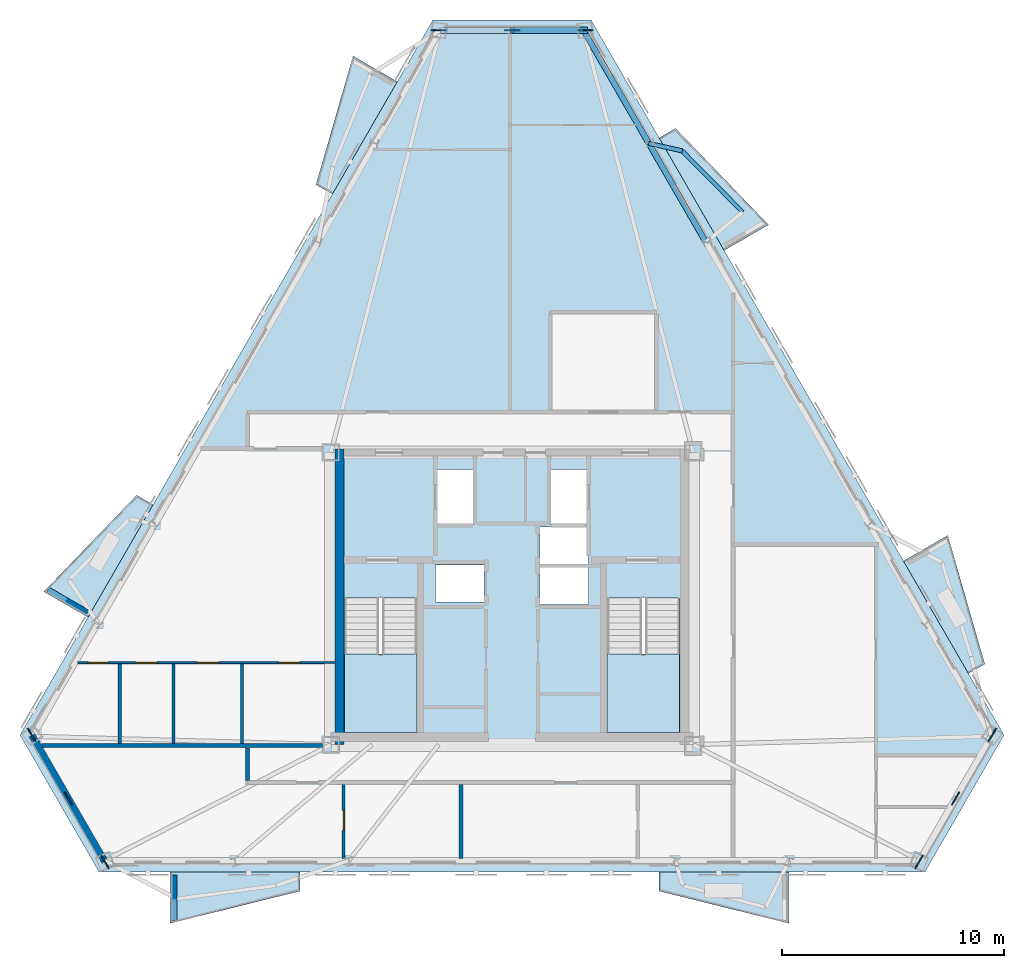
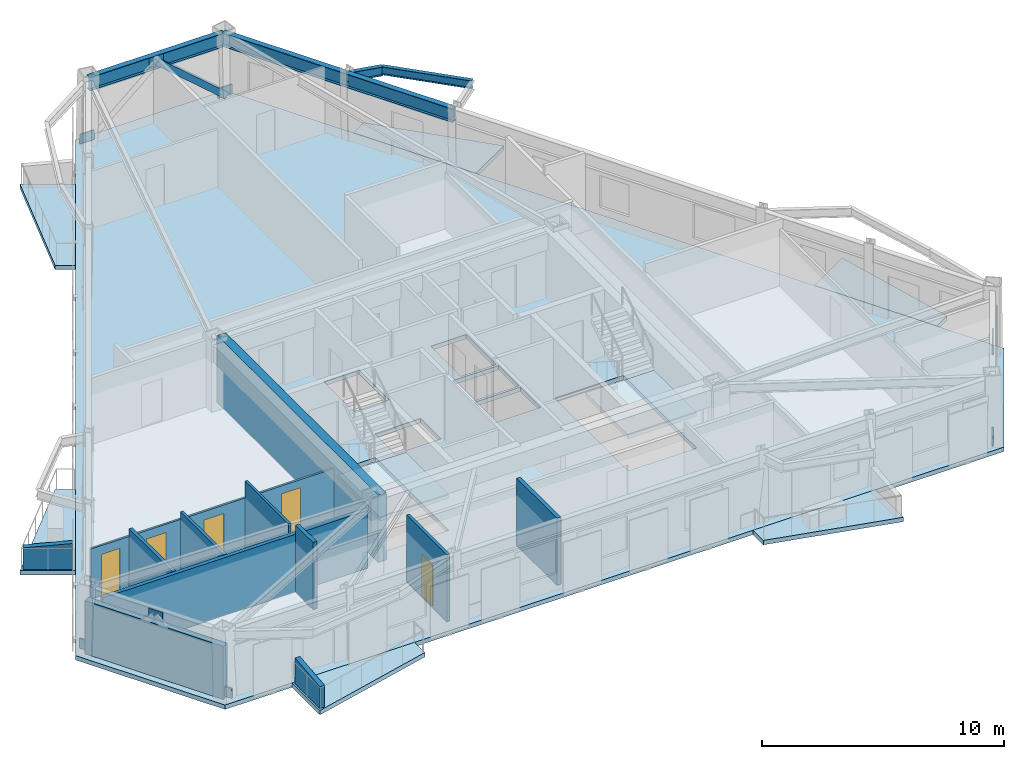
# One storey, part 2 of 9: 12 walls, 9 plates, 9 slabs, 5 beams, 5 doors, 1 member, 5 openings, 2 elements without a shape of their own.
"""IFC4 building model written with IfcOpenShell, lengths in metres."""

import ifcopenshell
import ifcopenshell.guid

model = None  # the IFC model being written
_history = None  # IfcOwnerHistory: only IFC2X3 demands one
_inside = {}  # id of a spatial element -> (the spatial element, [elements in it])
_under = {}  # id of a project, library or spatial element -> (it, [spatial elements below it])
_declared = {}  # id of a project -> (the project, [libraries it declares])
_typed = {}  # id of a type object -> (the type object, [elements of that type])
_made_of = {}  # id of a material, layer set ... -> (it, [elements and type objects made of it])


def new_model(schema):
    """Start an empty IFC model of exactly this schema.

    Asked for "IFC4X3", IfcOpenShell would pick the latest addendum, in which some entities
    have other attributes; the version numbers below select the first issue.
    IFC2X3 requires an IfcOwnerHistory on every rooted entity: one is made here for all.
    """
    global model, _history
    if schema == "IFC4X3":
        model = ifcopenshell.file(schema_version=(4, 3, 0, 0))
    else:
        model = ifcopenshell.file(schema=schema)
    _inside.clear()
    _under.clear()
    _declared.clear()
    _typed.clear()
    _made_of.clear()
    _history = None
    if model.schema == "IFC2X3":
        org = make("IfcOrganization", Name="unknown")
        user = make(
            "IfcPersonAndOrganization",
            ThePerson=make("IfcPerson", FamilyName="unknown"),
            TheOrganization=org,
        )
        app = make(
            "IfcApplication",
            ApplicationDeveloper=org,
            Version="unknown",
            ApplicationFullName="unknown",
            ApplicationIdentifier="unknown",
        )
        _history = make(
            "IfcOwnerHistory",
            OwningUser=user,
            OwningApplication=app,
            ChangeAction="ADDED",
            CreationDate=0,
        )
    return model


def make(cls, **values):
    """One entity of the class cls with the attributes given. An attribute that is None is left unset."""
    return model.create_entity(
        cls, **{name: value for name, value in values.items() if value is not None}
    )


def rooted(cls, **values):
    """An entity with a GlobalId (a new one), such as an element, a storey or a relation."""
    return make(cls, GlobalId=ifcopenshell.guid.new(), OwnerHistory=_history, **values)


def si_unit(unit_type, name, prefix=None):
    """IfcSIUnit, for example si_unit("LENGTHUNIT", "METRE", prefix="MILLI")."""
    return make("IfcSIUnit", UnitType=unit_type, Prefix=prefix, Name=name)


def assignment(units):
    """IfcUnitAssignment: the units of a project."""
    return None if units is None else make("IfcUnitAssignment", Units=units)


def point(xyz):
    """IfcCartesianPoint."""
    return None if xyz is None else make("IfcCartesianPoint", Coordinates=xyz)


def direction(xyz):
    """IfcDirection."""
    return None if xyz is None else make("IfcDirection", DirectionRatios=xyz)


def frame(location, z_axis=None, x_axis=None):
    """IfcAxis2Placement3D, a coordinate frame: its origin and axes. An axis left out is left unset."""
    return make(
        "IfcAxis2Placement3D",
        Location=point(location),
        Axis=direction(z_axis),
        RefDirection=direction(x_axis),
    )


def frame_2d(location, x_axis=None):
    """IfcAxis2Placement2D, a coordinate frame in the plane: its origin and x axis."""
    return make(
        "IfcAxis2Placement2D", Location=point(location), RefDirection=direction(x_axis)
    )


def origin():
    """The frame at (0, 0, 0) with its axes left unset."""
    return frame((0.0, 0.0, 0.0))


def origin_2d():
    """The frame at (0, 0) in the plane with its x axis left unset."""
    return frame_2d((0.0, 0.0))


def place(relative_to, where):
    """IfcLocalPlacement: puts the frame where relative to a parent placement (None: the world)."""
    return make(
        "IfcLocalPlacement", PlacementRelTo=relative_to, RelativePlacement=where
    )


def context(
    kind, dimensions, precision=None, world=None, true_north=None, identifier=None
):
    """IfcGeometricRepresentationContext, for example the 3D "Model" context."""
    return make(
        "IfcGeometricRepresentationContext",
        ContextIdentifier=identifier,
        ContextType=kind,
        CoordinateSpaceDimension=dimensions,
        Precision=precision,
        WorldCoordinateSystem=world,
        TrueNorth=true_north,
    )


def subcontext(parent, identifier, kind, view, scale=None):
    """IfcGeometricRepresentationSubContext, for example "Body" below "Model"."""
    return make(
        "IfcGeometricRepresentationSubContext",
        ContextIdentifier=identifier,
        ContextType=kind,
        ParentContext=parent,
        TargetScale=scale,
        TargetView=view,
    )


def project(units=None, contexts=None):
    """IfcProject with its units and contexts."""
    return rooted(
        "IfcProject",
        Name="project",
        RepresentationContexts=contexts,
        UnitsInContext=assignment(units),
    )


def spatial(cls, under=None, at=None, **own):
    """A site, building, storey or space (cls), placed at a placement, below another one or the project."""
    s = rooted(cls, ObjectPlacement=at, **own)
    if under is not None:
        _under.setdefault(under.id(), (under, []))[1].append(s)
    return s


def polyline(points):
    """IfcPolyline through the points."""
    return make("IfcPolyline", Points=[point(p) for p in points])


def profile(cls, at=None, kind="AREA", **sizes):
    """A parametric profile (cls). Its sizes go by their IFC names, for example OverallWidth=200.0."""
    return make(cls, ProfileType=kind, Position=at, **sizes)


def rectangle(**sizes):
    """IfcRectangleProfileDef."""
    return profile("IfcRectangleProfileDef", **sizes)


def hollow_rectangle(**sizes):
    """IfcRectangleHollowProfileDef."""
    return profile("IfcRectangleHollowProfileDef", **sizes)


def i_section(**sizes):
    """IfcIShapeProfileDef."""
    return profile("IfcIShapeProfileDef", **sizes)


def outline(outer, holes=None, kind="AREA"):
    """IfcArbitraryClosedProfileDef: a profile drawn as a closed curve; with holes, ...WithVoids."""
    if holes is None:
        return make("IfcArbitraryClosedProfileDef", ProfileType=kind, OuterCurve=outer)
    return make(
        "IfcArbitraryProfileDefWithVoids",
        ProfileType=kind,
        OuterCurve=outer,
        InnerCurves=holes,
    )


def extrude(swept, where, along, depth):
    """IfcExtrudedAreaSolid: the profile swept, set in the frame where, extruded along a direction by depth."""
    return make(
        "IfcExtrudedAreaSolid",
        SweptArea=swept,
        Position=where,
        ExtrudedDirection=direction(along),
        Depth=depth,
    )


def shape(context_of_items, identifier, shape_type, items):
    """IfcShapeRepresentation: the items that make up one representation, for example the "Body"."""
    return make(
        "IfcShapeRepresentation",
        ContextOfItems=context_of_items,
        RepresentationIdentifier=identifier,
        RepresentationType=shape_type,
        Items=items,
    )


def material(Name=None, Category=None):
    """IfcMaterial."""
    return make("IfcMaterial", Name=Name, Category=Category)


def layer(
    of_material, thickness, ventilated=None, Name=None, Category=None, Priority=None
):
    """IfcMaterialLayer: one layer of a wall or slab, of a material (None: an air gap)."""
    return make(
        "IfcMaterialLayer",
        Material=of_material,
        LayerThickness=thickness,
        IsVentilated=ventilated,
        Name=Name,
        Category=Category,
        Priority=Priority,
    )


def layer_set(layers, Name=None):
    """IfcMaterialLayerSet."""
    return make("IfcMaterialLayerSet", MaterialLayers=layers, LayerSetName=Name)


def material_profile(
    of_material, cross_section, Name=None, Category=None, Priority=None
):
    """IfcMaterialProfile: a cross section and its material."""
    return make(
        "IfcMaterialProfile",
        Name=Name,
        Material=of_material,
        Profile=cross_section,
        Priority=Priority,
        Category=Category,
    )


def profile_set(profiles, Name=None, composite=None):
    """IfcMaterialProfileSet."""
    return make(
        "IfcMaterialProfileSet",
        Name=Name,
        MaterialProfiles=profiles,
        CompositeProfile=composite,
    )


def made_of(thing, what):
    """Note that an element or type object is made of a material, layer set ...; save() writes the relation."""
    if what is not None:
        _made_of.setdefault(what.id(), (what, []))[1].append(thing)
    return thing


def type_object(cls, material=None, **own):
    """A type object (cls), such as IfcWallType, which elements share."""
    return made_of(rooted(cls, **own), material)


def element(
    cls,
    number,
    at=None,
    inside=None,
    cuts=None,
    type_object=None,
    material=None,
    context=None,
    identifier="Body",
    shape_type=None,
    held_by="IfcProductDefinitionShape",
    body=None,
    shapes=None,
    **own,
):
    """One element of the class cls, such as IfcWall. Its Tag is "e" and its number.

    at: its placement. inside: the storey or other place that contains it. cuts: it is an
    opening in that element (IfcRelVoidsElement). A single representation is given by context,
    identifier, shape_type and body (its items); several are given by shapes. held_by: the class
    of the entity that holds the representations. save() writes the other relations.
    """
    e = rooted(cls, Tag="e%d" % number, ObjectPlacement=at, **own)
    if body is not None:
        shapes = [shape(context, identifier, shape_type, body)]
    if shapes is not None:
        e.Representation = make(held_by, Representations=shapes)
    if inside is not None:
        _inside.setdefault(inside.id(), (inside, []))[1].append(e)
    if cuts is not None:
        rooted(
            "IfcRelVoidsElement", RelatingBuildingElement=cuts, RelatedOpeningElement=e
        )
    if type_object is not None:
        _typed.setdefault(type_object.id(), (type_object, []))[1].append(e)
    return made_of(e, material)


def fill(opening, filler):
    """IfcRelFillsElement: the door or window that sits in an opening."""
    return rooted(
        "IfcRelFillsElement",
        RelatingOpeningElement=opening,
        RelatedBuildingElement=filler,
    )


def aggregate(whole, parts):
    """IfcRelAggregates: a whole, such as a stair, and the parts it consists of."""
    return rooted("IfcRelAggregates", RelatingObject=whole, RelatedObjects=parts)


def save(model, path):
    """Write the relations noted so far, then the file.

    IfcRelAggregates (storeys below a building ...), IfcRelContainedInSpatialStructure (elements
    in a storey), IfcRelDefinesByType, IfcRelAssociatesMaterial and IfcRelDeclares: one each for
    every whole, place, type object, material and project.
    """
    for whole, parts in _under.values():
        aggregate(whole, parts)
    for where, things in _inside.values():
        rooted(
            "IfcRelContainedInSpatialStructure",
            RelatedElements=things,
            RelatingStructure=where,
        )
    for kind, things in _typed.values():
        rooted("IfcRelDefinesByType", RelatedObjects=things, RelatingType=kind)
    for what, things in _made_of.values():
        rooted("IfcRelAssociatesMaterial", RelatedObjects=things, RelatingMaterial=what)
    for by, libraries in _declared.values():
        rooted("IfcRelDeclares", RelatingContext=by, RelatedDefinitions=libraries)
    model.write(path)


model = new_model("IFC4")

# Units and contexts
model_context = context("Model", 3, precision=1e-05, world=origin(), true_north=direction((0.0, 1.0)))
body_context = subcontext(model_context, "Body", "Model", "MODEL_VIEW")
ifc_project = project(units=[si_unit("LENGTHUNIT", "METRE"), si_unit("AREAUNIT", "SQUARE_METRE"), si_unit("VOLUMEUNIT", "CUBIC_METRE"), si_unit("PLANEANGLEUNIT", "RADIAN"), si_unit("MASSUNIT", "GRAM", prefix="KILO")], contexts=[model_context])

# Site, building, storey
site_placement = place(None, origin())
site = spatial("IfcSite", under=ifc_project, at=site_placement, CompositionType="ELEMENT")
building_placement = place(site_placement, origin())
building = spatial("IfcBuilding", under=site, at=building_placement, Name="Oramaril Tower", CompositionType="ELEMENT")
storey_placement = place(building_placement, frame((0.0, 0.0, 219.89990234375)))
storey = spatial("IfcBuildingStorey", under=building, at=storey_placement, Name="L58", CompositionType="ELEMENT", Elevation=219.89990234375)

# Beams
ifc_material_1 = material(Name="Steel ASTM A572 Gr 50", Category="steel")
ifc_material_profile_1 = material_profile(ifc_material_1, i_section(OverallWidth=0.19091796875, OverallDepth=0.45703125, WebThickness=0.009033203125, FlangeThickness=0.014404296875, at=origin_2d()), Name="W18X50")
ifc_profile_set_1 = profile_set([ifc_material_profile_1], Name="Steel ASTM A572 Gr 50")
beam_type_1 = type_object("IfcBeamType", Name="BT-BB1", PredefinedType="BEAM", material=ifc_profile_set_1)
beam_1_placement = place(storey_placement, frame((43.660888671875, 38.060791015625, 3.151611328125), z_axis=(0.97539912568, -0.220446242027, 0.0), x_axis=(0.220446242027, 0.97539912568, 0.0)))
element("IfcBeam", 1, at=beam_1_placement, inside=storey, type_object=beam_type_1, Name="L58 Balcony Column-Framed Cantilever 04.2", PredefinedType="BEAM", context=body_context, shape_type="SweptSolid", body=[
    extrude(i_section(OverallWidth=0.19091796875, OverallDepth=0.45703125, WebThickness=0.009033203125, FlangeThickness=0.014404296875, at=origin_2d()), origin(), (0.0, 0.0, 1.0), 1.5361328125),
])
ifc_material_2 = material(Name="Steel ASTM A572 Gr 50", Category="steel")
ifc_material_profile_2 = material_profile(ifc_material_2, i_section(OverallWidth=0.177978515625, OverallDepth=0.404052734375, WebThickness=0.007568359375, FlangeThickness=0.010986328125, at=origin_2d()), Name="W16X36")
ifc_profile_set_2 = profile_set([ifc_material_profile_2], Name="Steel ASTM A572 Gr 50")
beam_type_2 = type_object("IfcBeamType", Name="BT-SB1", PredefinedType="BEAM", material=ifc_profile_set_2)
beam_2_placement = place(storey_placement, frame((47.8798828125, 34.969482421875, 3.177978515625), z_axis=(-0.702962973102, 0.711226446673, 0.0), x_axis=(-0.711226446673, -0.702962973102, 0.0)))
element("IfcBeam", 2, at=beam_2_placement, inside=storey, type_object=beam_type_2, Name="L58 Balcony Edge Tie Beam 04", PredefinedType="BEAM", context=body_context, shape_type="SweptSolid", body=[
    extrude(i_section(OverallWidth=0.177978515625, OverallDepth=0.404052734375, WebThickness=0.007568359375, FlangeThickness=0.010986328125, at=origin_2d()), origin(), (0.0, 0.0, 1.0), 3.870361328125),
])
ifc_material_3 = material(Name="Steel ASTM A572 Gr 50", Category="steel")
ifc_material_profile_3 = material_profile(ifc_material_3, i_section(OverallWidth=0.257080078125, OverallDepth=0.693115234375, WebThickness=0.014404296875, FlangeThickness=0.023681640625, at=origin_2d()), Name="W27X114")
ifc_profile_set_3 = profile_set([ifc_material_profile_3], Name="Steel ASTM A572 Gr 50")
beam_type_3 = type_object("IfcBeamType", Name="BT-SP4", PredefinedType="SPANDREL", material=ifc_profile_set_3)
beam_3_placement = place(storey_placement, frame((46.229248046875, 33.612548828125, 3.03369140625), z_axis=(-0.500024172624, 0.866011447264, 0.0), x_axis=(-0.866011447264, -0.500024172624, 0.0)))
element("IfcBeam", 3, at=beam_3_placement, inside=storey, type_object=beam_type_3, Name="L58 Perimeter Spandrel 11", PredefinedType="SPANDREL", context=body_context, shape_type="SweptSolid", body=[
    extrude(i_section(OverallWidth=0.257080078125, OverallDepth=0.693115234375, WebThickness=0.014404296875, FlangeThickness=0.023681640625, at=origin_2d()), origin(), (0.0, 0.0, 1.0), 5.136474609375),
])
beam_4_placement = place(storey_placement, frame((43.660888671875, 38.060791015625, 3.03369140625), z_axis=(-0.499981679338, 0.866035980965, 0.0), x_axis=(-0.866035980965, -0.499981679338, 0.0)))
element("IfcBeam", 4, at=beam_4_placement, inside=storey, type_object=beam_type_3, Name="L58 Perimeter Spandrel 12", PredefinedType="SPANDREL", context=body_context, shape_type="SweptSolid", body=[
    extrude(i_section(OverallWidth=0.257080078125, OverallDepth=0.693115234375, WebThickness=0.014404296875, FlangeThickness=0.023681640625, at=origin_2d()), origin(), (0.0, 0.0, 1.0), 5.869873046875),
])
beam_5_placement = place(storey_placement, frame((40.72607421875, 43.144287109375, 3.03369140625), z_axis=(-1.0, 0.0, 0.0), x_axis=(0.0, -1.0, 0.0)))
element("IfcBeam", 5, at=beam_5_placement, inside=storey, type_object=beam_type_3, Name="L58 Perimeter Spandrel 13", PredefinedType="SPANDREL", context=body_context, shape_type="SweptSolid", body=[
    extrude(i_section(OverallWidth=0.257080078125, OverallDepth=0.693115234375, WebThickness=0.014404296875, FlangeThickness=0.023681640625, at=origin_2d()), origin(), (0.0, 0.0, 1.0), 6.4521484375),
])

# Member
ifc_material_4 = material(Name="Steel ASTM A572 Gr 50", Category="steel")
ifc_material_profile_4 = material_profile(ifc_material_4, hollow_rectangle(XDim=0.300048828125, YDim=0.300048828125, WallThickness=0.01611328125, at=origin_2d()), Name="HSS300X300X16")
ifc_profile_set_4 = profile_set([ifc_material_profile_4], Name="Steel ASTM A572 Gr 50")
member_type = type_object("IfcMemberType", Name="MT-KB2", PredefinedType="BRACE", material=ifc_profile_set_4)
member_placement = place(storey_placement, frame((40.796630859375, 43.15380859375, 0.18017578125), z_axis=(-0.756093548484, 0.0, 0.654463555853), x_axis=(0.0, -1.0, 0.0)))
element("IfcMember", 6, at=member_placement, inside=storey, type_object=member_type, Name="L58 Perimeter Chevron Brace KB-3A", PredefinedType="BRACE", context=body_context, shape_type="SweptSolid", body=[
    extrude(hollow_rectangle(XDim=0.300048828125, YDim=0.300048828125, WallThickness=0.01611328125, at=origin_2d()), origin(), (0.0, 0.0, 1.0), 4.360107421875),
])

# Plates
ifc_material_5 = material(Name="Steel ASTM A572 Gr 50", Category="steel")
ifc_layer_1 = layer(ifc_material_5, 0.06005859375)
ifc_layer_set_1 = layer_set([ifc_layer_1], Name="PLT-G60")
plate_type = type_object("IfcPlateType", Name="PLT-G60", PredefinedType="USERDEFINED", material=ifc_layer_set_1)
for number, where, z_axis, x_axis, name in (
    (7, (17.534912109375, 8.572998046875, 2.793701171875), (0.0, 0.0, 1.0), (0.499992442484, -0.866029767075, 0.0), "L58 Chevron Brace Gusset Plate BN-1"),
    (8, (15.88671875, 11.427978515625, 0.10009765625), (0.0, 0.0, 1.0), (0.499992442484, -0.866029767075, 0.0), "L58 Chevron Brace Gusset Plate BN-1"),
    (9, (19.18310546875, 5.718017578125, 0.10009765625), (0.0, 0.0, 1.0), (0.499992442484, -0.866029767075, 0.0), "L58 Chevron Brace Gusset Plate BN-1"),
    (10, (57.465087890625, 8.572998046875, 2.793701171875), (0.0, 0.0, 1.0), (0.499992442484, 0.866029767075, 0.0), "L58 Chevron Brace Gusset Plate BN-1"),
    (11, (55.81689453125, 5.718017578125, 0.10009765625), (0.0, 0.0, 1.0), (0.499992442484, 0.866029767075, 0.0), "L58 Chevron Brace Gusset Plate BN-1"),
    (12, (59.11328125, 11.427978515625, 0.10009765625), (0.0, 0.0, 1.0), (0.499992442484, 0.866029767075, 0.0), "L58 Chevron Brace Gusset Plate BN-1"),
    (13, (37.5, 43.15380859375, 2.793701171875), (0.0, 0.0, 1.0), (-1.0, 0.0, 0.0), "L58 Chevron Brace Gusset Plate BN-1"),
    (14, (40.796630859375, 43.15380859375, 0.10009765625), (0.0, 0.0, 1.0), (-1.0, 0.0, 0.0), "L58 Chevron Brace Gusset Plate BN-1"),
    (15, (34.203369140625, 43.15380859375, 0.10009765625), (0.0, 0.0, 1.0), (-1.0, 0.0, 0.0), "L58 Chevron Brace Gusset Plate BN-1"),
):
    element("IfcPlate", number, at=place(storey_placement, frame(where, z_axis=z_axis, x_axis=x_axis)), inside=storey, type_object=plate_type, Name=name, ObjectType="GUSSET", PredefinedType="USERDEFINED", context=body_context, shape_type="SweptSolid", body=[
        extrude(rectangle(XDim=0.679931640625, YDim=0.06005859375, at=origin_2d()), origin(), (0.0, 0.0, 1.0), 0.47998046875),
    ])

# Slabs
ifc_material_6 = material(Name="Concrete C40/50", Category="concrete")
ifc_layer_2 = layer(ifc_material_6, 0.199951171875)
ifc_layer_set_2 = layer_set([ifc_layer_2], Name="SLT-BAL20")
slab_type_1 = type_object("IfcSlabType", Name="SLT-BAL20", PredefinedType="FLOOR", material=ifc_layer_set_2)
slab_1_placement = place(storey_placement, frame((0.0, 0.0, -0.219970703125)))
element("IfcSlab", 16, at=slab_1_placement, inside=storey, type_object=slab_type_1, Name="L58 Cantilevered Balcony Slab L58-BAL-S1", PredefinedType="FLOOR", context=body_context, shape_type="SweptSolid", body=[
    extrude(outline(polyline([(22.11767578125, 5.260009765625), (27.967529296875, 5.260009765625), (27.967529296875, 4.408203125), (22.11767578125, 2.9580078125), (22.11767578125, 5.260009765625)])), origin(), (0.0, 0.0, 1.0), 0.219970703125),
])
slab_2_placement = place(storey_placement, frame((0.0, 0.0, -0.219970703125)))
element("IfcSlab", 17, at=slab_2_placement, inside=storey, type_object=slab_type_1, Name="L58 Cantilevered Balcony Slab L58-BAL-NE2", PredefinedType="FLOOR", context=body_context, shape_type="SweptSolid", body=[
    extrude(outline(polyline([(47.048095703125, 33.2421875), (44.123046875, 38.308349609375), (44.86083984375, 38.734375), (49.04150390625, 34.39306640625), (47.048095703125, 33.2421875)])), origin(), (0.0, 0.0, 1.0), 0.219970703125),
])
slab_3_placement = place(storey_placement, frame((0.0, 0.0, -0.219970703125)))
element("IfcSlab", 18, at=slab_3_placement, inside=storey, type_object=slab_type_1, Name="L58 Cantilevered Balcony Slab L58-BAL-NW1", PredefinedType="FLOOR", context=body_context, shape_type="SweptSolid", body=[
    extrude(outline(polyline([(32.339599609375, 40.841552734375), (29.41455078125, 35.775390625), (28.6767578125, 36.201416015625), (30.345947265625, 41.992431640625), (32.339599609375, 40.841552734375)])), origin(), (0.0, 0.0, 1.0), 0.219970703125),
])
ifc_material_7 = material(Name="Concrete C50/60", Category="concrete")
ifc_layer_3 = layer(ifc_material_7, 0.219970703125)
ifc_layer_set_3 = layer_set([ifc_layer_3], Name="SLT-FLR22")
slab_type_2 = type_object("IfcSlabType", Name="SLT-FLR22", PredefinedType="FLOOR", material=ifc_layer_set_3)
slab_4_placement = place(storey_placement, frame((0.0, 0.0, -0.219970703125)))
element("IfcSlab", 19, at=slab_4_placement, inside=storey, type_object=slab_type_2, Name="L58 Structural Floor Slab", PredefinedType="FLOOR", context=body_context, shape_type="SweptSolid", body=[
    extrude(outline(polyline([(15.35546875, 11.427978515625), (18.91748046875, 5.258056640625), (56.08251953125, 5.258056640625), (59.64453125, 11.427978515625), (41.062255859375, 43.61376953125), (33.937744140625, 43.61376953125), (15.35546875, 11.427978515625)]), holes=[polyline([(29.949951171875, 17.58935546875), (29.949951171875, 11.550048828125), (33.219970703125, 11.550048828125), (33.219970703125, 17.58935546875), (29.949951171875, 17.58935546875)]), polyline([(41.780029296875, 17.58935546875), (41.780029296875, 11.550048828125), (45.050048828125, 11.550048828125), (45.050048828125, 17.58935546875), (41.780029296875, 17.58935546875)]), polyline([(34.110107421875, 20.909912109375), (35.7900390625, 20.909912109375), (35.7900390625, 23.389892578125), (34.110107421875, 23.389892578125), (34.110107421875, 20.909912109375)]), polyline([(39.2099609375, 20.909912109375), (40.889892578125, 20.909912109375), (40.889892578125, 23.389892578125), (39.2099609375, 23.389892578125), (39.2099609375, 20.909912109375)]), polyline([(34.06005859375, 17.409912109375), (36.239990234375, 17.409912109375), (36.239990234375, 19.090087890625), (34.06005859375, 19.090087890625), (34.06005859375, 17.409912109375)]), polyline([(38.760009765625, 17.31005859375), (40.93994140625, 17.31005859375), (40.93994140625, 18.989990234375), (38.760009765625, 18.989990234375), (38.760009765625, 17.31005859375)]), polyline([(38.760009765625, 19.110107421875), (40.93994140625, 19.110107421875), (40.93994140625, 20.7900390625), (38.760009765625, 20.7900390625), (38.760009765625, 19.110107421875)])]), origin(), (0.0, 0.0, 1.0), 0.219970703125),
])

# Stair, slab
ifc_material_8 = material(Name="Concrete C50/60", Category="concrete")
stair_type = type_object("IfcStairType", Name="STT-DG-3600", PredefinedType="HALF_TURN_STAIR", material=ifc_material_8)
stair_1_placement = place(storey_placement, origin())
stair_1 = element("IfcStair", 20, at=stair_1_placement, inside=storey, type_object=stair_type, Name="L58 Protected PFP Exit Stair ST-1", PredefinedType="HALF_TURN_STAIR")
ifc_material_9 = material(Name="Concrete C50/60", Category="concrete")
ifc_layer_4 = layer(ifc_material_9, 0.199951171875)
ifc_layer_set_4 = layer_set([ifc_layer_4], Name="SLT-LND20")
slab_type_3 = type_object("IfcSlabType", Name="SLT-LND20", PredefinedType="LANDING", material=ifc_layer_set_4)
slab_5_placement = place(storey_placement, frame((0.0, 0.0, 1.60009765625)))
slab_5 = element("IfcSlab", 21, at=slab_5_placement, type_object=slab_type_3, Name="ST-1 landing 1", PredefinedType="LANDING", context=body_context, shape_type="SweptSolid", body=[
    extrude(outline(polyline([(29.949951171875, 15.070068359375), (29.949951171875, 11.550048828125), (33.219970703125, 11.550048828125), (33.219970703125, 15.070068359375), (29.949951171875, 15.070068359375)])), origin(), (0.0, 0.0, 1.0), 0.199951171875),
])
aggregate(stair_1, [slab_5])

stair_2_placement = place(storey_placement, origin())
stair_2 = element("IfcStair", 22, at=stair_2_placement, inside=storey, type_object=stair_type, Name="L58 Protected PFP Exit Stair ST-2", PredefinedType="HALF_TURN_STAIR")
slab_6_placement = place(storey_placement, frame((0.0, 0.0, 1.60009765625)))
slab_6 = element("IfcSlab", 23, at=slab_6_placement, type_object=slab_type_3, Name="ST-2 landing 1", PredefinedType="LANDING", context=body_context, shape_type="SweptSolid", body=[
    extrude(outline(polyline([(41.780029296875, 15.070068359375), (41.780029296875, 11.550048828125), (45.050048828125, 11.550048828125), (45.050048828125, 15.070068359375), (41.780029296875, 15.070068359375)])), origin(), (0.0, 0.0, 1.0), 0.199951171875),
])
aggregate(stair_2, [slab_6])

# Slabs
ifc_material_10 = material(Name="Concrete C40/50", Category="concrete")
ifc_layer_5 = layer(ifc_material_10, 0.18994140625)
ifc_layer_set_5 = layer_set([ifc_layer_5], Name="SLT-PLN19")
slab_type_4 = type_object("IfcSlabType", Name="SLT-PLN19", PredefinedType="FLOOR", material=ifc_layer_set_5)
slab_7_placement = place(storey_placement, frame((0.0, 0.0, -0.219970703125)))
element("IfcSlab", 24, at=slab_7_placement, inside=storey, type_object=slab_type_4, Name="L58 Tree Planter Balcony Slab L58-BAL-S2", PredefinedType="FLOOR", context=body_context, shape_type="SweptSolid", body=[
    extrude(outline(polyline([(44.107421875, 5.260009765625), (49.95751953125, 5.260009765625), (49.95751953125, 2.9580078125), (44.107421875, 4.408203125), (44.107421875, 5.260009765625)])), origin(), (0.0, 0.0, 1.0), 0.219970703125),
])
slab_8_placement = place(storey_placement, frame((0.0, 0.0, -0.219970703125)))
element("IfcSlab", 25, at=slab_8_placement, inside=storey, type_object=slab_type_4, Name="L58 Tree Planter Balcony Slab L58-BAL-NE1", PredefinedType="FLOOR", context=body_context, shape_type="SweptSolid", body=[
    extrude(outline(polyline([(58.04296875, 14.198486328125), (55.117919921875, 19.2646484375), (57.111572265625, 20.41552734375), (58.78076171875, 14.62451171875), (58.04296875, 14.198486328125)])), origin(), (0.0, 0.0, 1.0), 0.219970703125),
])
slab_9_placement = place(storey_placement, frame((0.0, 0.0, -0.219970703125)))
element("IfcSlab", 26, at=slab_9_placement, inside=storey, type_object=slab_type_4, Name="L58 Tree Planter Balcony Slab L58-BAL-NW2", PredefinedType="FLOOR", context=body_context, shape_type="SweptSolid", body=[
    extrude(outline(polyline([(21.344482421875, 21.7978515625), (18.419677734375, 16.7314453125), (16.426025390625, 17.882568359375), (20.606689453125, 22.223876953125), (21.344482421875, 21.7978515625)])), origin(), (0.0, 0.0, 1.0), 0.219970703125),
])

# Walls
ifc_material_11 = material(Name="Warm Cream Limestone", Category="masonry")
ifc_layer_6 = layer(ifc_material_11, 0.2900390625)
ifc_layer_set_6 = layer_set([ifc_layer_6], Name="WT-EXT29")
wall_type_1 = type_object("IfcWallType", Name="WT-EXT29", PredefinedType="SOLIDWALL", material=ifc_layer_set_6)
wall_1_placement = place(storey_placement, frame((15.88671875, 11.427978515625, 0.0), z_axis=(0.0, 0.0, 1.0), x_axis=(0.499970336533, -0.866042529317, 0.0)))
element("IfcWall", 27, at=wall_1_placement, inside=storey, type_object=wall_type_1, Name="L58 Tower Limestone Facade Wall 1M", PredefinedType="SOLIDWALL", context=body_context, shape_type="SweptSolid", body=[
    extrude(rectangle(XDim=6.59326171875, YDim=0.2900390625, at=frame_2d((3.296630859375, 0.0))), origin(), (0.0, 0.0, 1.0), 2.677001953125),
])
ifc_material_12 = material(Name="Concrete C40/50", Category="concrete")
ifc_layer_7 = layer(ifc_material_12, 0.22998046875)
ifc_layer_set_7 = layer_set([ifc_layer_7], Name="WT-PRP23")
wall_type_2 = type_object("IfcWallType", Name="WT-PRP23", PredefinedType="PARAPET", material=ifc_layer_set_7)
for number, where, z_axis, x_axis, name in (
    (28, (22.297607421875, 5.1201171875, 0.0), (0.0, 0.0, 1.0), (0.0, -1.0, 0.0), "L58 Trapezoidal Balcony Frame Cheek L58-BAL-S1-L"),
    (29, (18.388427734375, 16.95751953125, 0.0), (0.0, 0.0, 1.0), (-0.866012356593, 0.500022597718, 0.0), "L58 Trapezoidal Balcony Frame Cheek L58-BAL-NW2-R"),
):
    element("IfcWall", number, at=place(storey_placement, frame(where, z_axis=z_axis, x_axis=x_axis)), inside=storey, type_object=wall_type_2, Name=name, PredefinedType="PARAPET", context=body_context, shape_type="SweptSolid", body=[
        extrude(outline(polyline([(0.0, 0.0), (2.0419921875, 0.0), (2.0419921875, 1.10009765625), (0.0, 1.320068359375), (0.0, 0.0)])), frame((0.0, 0.114990234375, 0.0), z_axis=(0.0, -1.0, 0.0), x_axis=(1.0, 0.0, 0.0)), (0.0, 0.0, 1.0), 0.22998046875),
    ])

# Wall, openings, doors
ifc_material_13 = material(Name="Acoustic Gypsum Board Partition")
ifc_layer_8 = layer(ifc_material_13, 0.10009765625)
ifc_layer_set_8 = layer_set([ifc_layer_8], Name="WT-PT10")
wall_type_3 = type_object("IfcWallType", Name="WT-PT10", PredefinedType="PARTITIONING", material=ifc_layer_set_8)
wall_2_placement = place(storey_placement, frame((17.94189453125, 14.68994140625, 0.0), z_axis=(0.0, 0.0, 1.0), x_axis=(1.0, 0.0, 0.0)))
wall_2 = element("IfcWall", 30, at=wall_2_placement, inside=storey, type_object=wall_type_3, Name="L58 Interior Partition PT-10", PredefinedType="PARTITIONING", context=body_context, shape_type="SweptSolid", body=[
    extrude(rectangle(XDim=11.593994140625, YDim=0.10009765625, at=frame_2d((5.796875, 0.0))), origin(), (0.0, 0.0, 1.0), 2.52001953125),
])
opening_1_placement = place(wall_2_placement, frame((0.493408203125, 0.0, 0.0)))
opening_1 = element("IfcOpeningElement", 31, at=opening_1_placement, cuts=wall_2, Name="Opening D-L58-03", PredefinedType="OPENING", context=body_context, shape_type="SweptSolid", body=[
    extrude(rectangle(XDim=0.8798828125, YDim=2.080078125, at=frame_2d((0.43994140625, 1.0400390625))), frame((0.0, 0.050048828125, 0.0), z_axis=(0.0, -1.0, 0.0), x_axis=(1.0, 0.0, 0.0)), (0.0, 0.0, 1.0), 0.10009765625),
])
opening_2_placement = place(wall_2_placement, frame((2.635498046875, 0.0, 0.0)))
opening_2 = element("IfcOpeningElement", 32, at=opening_2_placement, cuts=wall_2, Name="Opening D-L58-04", PredefinedType="OPENING", context=body_context, shape_type="SweptSolid", body=[
    extrude(rectangle(XDim=0.949951171875, YDim=2.10009765625, at=frame_2d((0.47509765625, 1.050048828125))), frame((0.0, 0.050048828125, 0.0), z_axis=(0.0, -1.0, 0.0), x_axis=(1.0, 0.0, 0.0)), (0.0, 0.0, 1.0), 0.10009765625),
])
opening_3_placement = place(wall_2_placement, frame((5.39404296875, 0.0, 0.0)))
opening_3 = element("IfcOpeningElement", 33, at=opening_3_placement, cuts=wall_2, Name="Opening D-L58-05", PredefinedType="OPENING", context=body_context, shape_type="SweptSolid", body=[
    extrude(rectangle(XDim=0.949951171875, YDim=2.10009765625, at=frame_2d((0.47509765625, 1.050048828125))), frame((0.0, 0.050048828125, 0.0), z_axis=(0.0, -1.0, 0.0), x_axis=(1.0, 0.0, 0.0)), (0.0, 0.0, 1.0), 0.10009765625),
])
opening_4_placement = place(wall_2_placement, frame((9.079345703125, 0.0, 0.0)))
opening_4 = element("IfcOpeningElement", 34, at=opening_4_placement, cuts=wall_2, Name="Opening D-L58-06", PredefinedType="OPENING", context=body_context, shape_type="SweptSolid", body=[
    extrude(rectangle(XDim=0.919921875, YDim=2.1201171875, at=frame_2d((0.4599609375, 1.06005859375))), frame((0.0, 0.050048828125, 0.0), z_axis=(0.0, -1.0, 0.0), x_axis=(1.0, 0.0, 0.0)), (0.0, 0.0, 1.0), 0.10009765625),
])
ifc_material_14 = material(Name="FSC Brazilian Freijo Hardwood", Category="wood")
door_type_1 = type_object("IfcDoorType", Name="DT-BATH", OperationType="NOTDEFINED", PredefinedType="DOOR", material=ifc_material_14)
door_1_placement = place(opening_1_placement, origin())
door_1 = element("IfcDoor", 35, at=door_1_placement, inside=storey, type_object=door_type_1, Name="L58 Flat L58-U3 Bathroom Door D-L58-03", OperationType="SINGLE_SWING_LEFT", OverallHeight=2.080078125, OverallWidth=0.8798828125, PredefinedType="DOOR", context=body_context, shape_type="SweptSolid", body=[
    extrude(rectangle(XDim=0.8798828125, YDim=2.080078125, at=frame_2d((0.43994140625, 1.0400390625))), frame((0.0, 0.02490234375, 0.0), z_axis=(0.0, -1.0, 0.0), x_axis=(1.0, 0.0, 0.0)), (0.0, 0.0, 1.0), 0.050048828125),
])
fill(opening_1, door_1)
ifc_material_15 = material(Name="FSC Brazilian Freijo Hardwood", Category="wood")
door_type_2 = type_object("IfcDoorType", Name="DT-BED", OperationType="NOTDEFINED", PredefinedType="DOOR", material=ifc_material_15)
door_2_placement = place(opening_4_placement, origin())
door_2 = element("IfcDoor", 36, at=door_2_placement, inside=storey, type_object=door_type_2, Name="L58 Flat L58-U3 Master Bedroom Door D-L58-06", OperationType="SINGLE_SWING_RIGHT", OverallHeight=2.1201171875, OverallWidth=0.919921875, PredefinedType="DOOR", context=body_context, shape_type="SweptSolid", body=[
    extrude(rectangle(XDim=0.919921875, YDim=2.1201171875, at=frame_2d((0.4599609375, 1.06005859375))), frame((0.0, 0.02490234375, 0.0), z_axis=(0.0, -1.0, 0.0), x_axis=(1.0, 0.0, 0.0)), (0.0, 0.0, 1.0), 0.050048828125),
])
fill(opening_4, door_2)
ifc_material_16 = material(Name="FSC Brazilian Freijo Hardwood", Category="wood")
door_type_3 = type_object("IfcDoorType", Name="DT-STDY", OperationType="NOTDEFINED", PredefinedType="DOOR", material=ifc_material_16)
door_3_placement = place(opening_2_placement, origin())
door_3 = element("IfcDoor", 37, at=door_3_placement, inside=storey, type_object=door_type_3, Name="L58 Flat L58-U3 Kitchen Door D-L58-04", OperationType="SINGLE_SWING_RIGHT", OverallHeight=2.10009765625, OverallWidth=0.949951171875, PredefinedType="DOOR", context=body_context, shape_type="SweptSolid", body=[
    extrude(rectangle(XDim=0.949951171875, YDim=2.10009765625, at=frame_2d((0.47509765625, 1.050048828125))), frame((0.0, 0.02490234375, 0.0), z_axis=(0.0, -1.0, 0.0), x_axis=(1.0, 0.0, 0.0)), (0.0, 0.0, 1.0), 0.050048828125),
])
fill(opening_2, door_3)
door_4_placement = place(opening_3_placement, origin())
door_4 = element("IfcDoor", 38, at=door_4_placement, inside=storey, type_object=door_type_3, Name="L58 Flat L58-U3 Home Office Door D-L58-05", OperationType="SINGLE_SWING_LEFT", OverallHeight=2.10009765625, OverallWidth=0.949951171875, PredefinedType="DOOR", context=body_context, shape_type="SweptSolid", body=[
    extrude(rectangle(XDim=0.949951171875, YDim=2.10009765625, at=frame_2d((0.47509765625, 1.050048828125))), frame((0.0, 0.02490234375, 0.0), z_axis=(0.0, -1.0, 0.0), x_axis=(1.0, 0.0, 0.0)), (0.0, 0.0, 1.0), 0.050048828125),
])
fill(opening_3, door_4)

# Walls
ifc_material_17 = material(Name="Acoustic Gypsum Board Partition")
ifc_layer_9 = layer(ifc_material_17, 0.1201171875)
ifc_layer_set_9 = layer_set([ifc_layer_9], Name="WT-PT12")
wall_type_4 = type_object("IfcWallType", Name="WT-PT12", PredefinedType="PARTITIONING", material=ifc_layer_set_9)
wall_3_placement = place(storey_placement, frame((25.35009765625, 11.0439453125, 0.0), z_axis=(0.0, 0.0, 1.0), x_axis=(0.0, 1.0, 0.0)))
element("IfcWall", 39, at=wall_3_placement, inside=storey, type_object=wall_type_4, Name="L58 Interior Partition PT-12", PredefinedType="PARTITIONING", context=body_context, shape_type="SweptSolid", body=[
    extrude(rectangle(XDim=3.592041015625, YDim=0.1201171875, at=frame_2d((1.7958984375, 0.0))), origin(), (0.0, 0.0, 1.0), 3.380126953125),
])
ifc_material_18 = material(Name="Acoustic Gypsum Board Partition")
ifc_layer_10 = layer(ifc_material_18, 0.139892578125)
ifc_layer_set_10 = layer_set([ifc_layer_10], Name="WT-PT14")
wall_type_5 = type_object("IfcWallType", Name="WT-PT14", PredefinedType="PARTITIONING", material=ifc_layer_set_10)
wall_4_placement = place(storey_placement, frame((22.27001953125, 11.0439453125, 0.0), z_axis=(0.0, 0.0, 1.0), x_axis=(0.0, 1.0, 0.0)))
element("IfcWall", 40, at=wall_4_placement, inside=storey, type_object=wall_type_5, Name="L58 Interior Partition PT-14", PredefinedType="PARTITIONING", context=body_context, shape_type="SweptSolid", body=[
    extrude(rectangle(XDim=3.592041015625, YDim=0.139892578125, at=frame_2d((1.7958984375, 0.0))), origin(), (0.0, 0.0, 1.0), 2.9130859375),
])

# Wall, opening, door
wall_5_placement = place(storey_placement, frame((29.919921875, 5.8671875, 0.0), z_axis=(0.0, 0.0, 1.0), x_axis=(0.0, 1.0, 0.0)))
wall_5 = element("IfcWall", 41, at=wall_5_placement, inside=storey, type_object=wall_type_5, Name="L58 Interior Partition PT-14", PredefinedType="PARTITIONING", context=body_context, shape_type="SweptSolid", body=[
    extrude(rectangle(XDim=3.3388671875, YDim=0.139892578125, at=frame_2d((1.66943359375, 0.0))), origin(), (0.0, 0.0, 1.0), 3.380126953125),
])
opening_5_placement = place(wall_5_placement, frame((1.27685546875, 0.0, 0.0)))
opening_5 = element("IfcOpeningElement", 42, at=opening_5_placement, cuts=wall_5, Name="Opening D-L58-14", PredefinedType="OPENING", context=body_context, shape_type="SweptSolid", body=[
    extrude(rectangle(XDim=0.8798828125, YDim=2.080078125, at=frame_2d((0.43994140625, 1.0400390625))), frame((0.0, 0.06982421875, 0.0), z_axis=(0.0, -1.0, 0.0), x_axis=(1.0, 0.0, 0.0)), (0.0, 0.0, 1.0), 0.139892578125),
])
door_5_placement = place(opening_5_placement, origin())
door_5 = element("IfcDoor", 43, at=door_5_placement, inside=storey, type_object=door_type_1, Name="L58 Flat L58-U1 Bathroom Door D-L58-14", OperationType="SINGLE_SWING_RIGHT", OverallHeight=2.080078125, OverallWidth=0.8798828125, PredefinedType="DOOR", context=body_context, shape_type="SweptSolid", body=[
    extrude(rectangle(XDim=0.8798828125, YDim=2.080078125, at=frame_2d((0.43994140625, 1.0400390625))), frame((0.0, 0.02490234375, 0.0), z_axis=(0.0, -1.0, 0.0), x_axis=(1.0, 0.0, 0.0)), (0.0, 0.0, 1.0), 0.050048828125),
])
fill(opening_5, door_5)

# Walls
ifc_material_19 = material(Name="Acoustic Gypsum Board Partition")
ifc_layer_11 = layer(ifc_material_19, 0.159912109375)
ifc_layer_set_11 = layer_set([ifc_layer_11], Name="WT-PT16")
wall_type_6 = type_object("IfcWallType", Name="WT-PT16", PredefinedType="PARTITIONING", material=ifc_layer_set_11)
wall_6_placement = place(storey_placement, frame((19.840087890625, 11.0439453125, 0.0), z_axis=(0.0, 0.0, 1.0), x_axis=(0.0, 1.0, 0.0)))
element("IfcWall", 44, at=wall_6_placement, inside=storey, type_object=wall_type_6, Name="L58 Interior Partition PT-16", PredefinedType="PARTITIONING", context=body_context, shape_type="SweptSolid", body=[
    extrude(rectangle(XDim=3.592041015625, YDim=0.159912109375, at=frame_2d((1.7958984375, 0.0))), origin(), (0.0, 0.0, 1.0), 2.9130859375),
])
ifc_material_20 = material(Name="Autoclaved Cellular Concrete Block", Category="concrete")
ifc_layer_12 = layer(ifc_material_20, 0.179931640625)
ifc_layer_set_12 = layer_set([ifc_layer_12], Name="WT-PT18")
wall_type_7 = type_object("IfcWallType", Name="WT-PT18", PredefinedType="PARTITIONING", material=ifc_layer_set_12)
wall_7_placement = place(storey_placement, frame((16.334716796875, 10.949951171875, 0.0), z_axis=(0.0, 0.0, 1.0), x_axis=(1.0, 0.0, 0.0)))
element("IfcWall", 45, at=wall_7_placement, inside=storey, type_object=wall_type_7, Name="L58 Interior Partition PT-18", PredefinedType="PARTITIONING", context=body_context, shape_type="SweptSolid", body=[
    extrude(rectangle(XDim=12.625244140625, YDim=0.179931640625, at=frame_2d((6.3125, 0.0))), origin(), (0.0, 0.0, 1.0), 2.9130859375),
])
wall_8_placement = place(storey_placement, frame((25.60009765625, 9.39404296875, 0.0), z_axis=(0.0, 0.0, 1.0), x_axis=(0.0, 1.0, 0.0)))
element("IfcWall", 46, at=wall_8_placement, inside=storey, type_object=wall_type_7, Name="L58 Interior Partition PT-18", PredefinedType="PARTITIONING", context=body_context, shape_type="SweptSolid", body=[
    extrude(rectangle(XDim=1.4619140625, YDim=0.179931640625, at=frame_2d((0.73095703125, 0.0))), origin(), (0.0, 0.0, 1.0), 3.380126953125),
])
wall_9_placement = place(storey_placement, frame((35.199951171875, 5.8671875, 0.0), z_axis=(0.0, 0.0, 1.0), x_axis=(0.0, 1.0, 0.0)))
element("IfcWall", 47, at=wall_9_placement, inside=storey, type_object=wall_type_7, Name="L58 Interior Partition PT-18", PredefinedType="PARTITIONING", context=body_context, shape_type="SweptSolid", body=[
    extrude(rectangle(XDim=3.3388671875, YDim=0.179931640625, at=frame_2d((1.66943359375, 0.0))), origin(), (0.0, 0.0, 1.0), 3.380126953125),
])
ifc_material_21 = material(Name="Concrete C50/60", Category="concrete")
ifc_layer_13 = layer(ifc_material_21, 0.39990234375)
ifc_layer_set_13 = layer_set([ifc_layer_13], Name="WT-SH40")
wall_type_8 = type_object("IfcWallType", Name="WT-SH40", PredefinedType="SHEAR", material=ifc_layer_set_13)
wall_10_placement = place(storey_placement, frame((29.739990234375, 11.0, 0.0), z_axis=(0.0, 0.0, 1.0), x_axis=(0.0, 1.0, 0.0)))
element("IfcWall", 48, at=wall_10_placement, inside=storey, type_object=wall_type_8, Name="L58 Core Shear Wall CW-W", PredefinedType="SHEAR", context=body_context, shape_type="SweptSolid", body=[
    extrude(rectangle(XDim=13.300048828125, YDim=0.39990234375, at=frame_2d((6.64990234375, 0.0))), origin(), (0.0, 0.0, 1.0), 3.380126953125),
])

save(model, "model.ifc")
